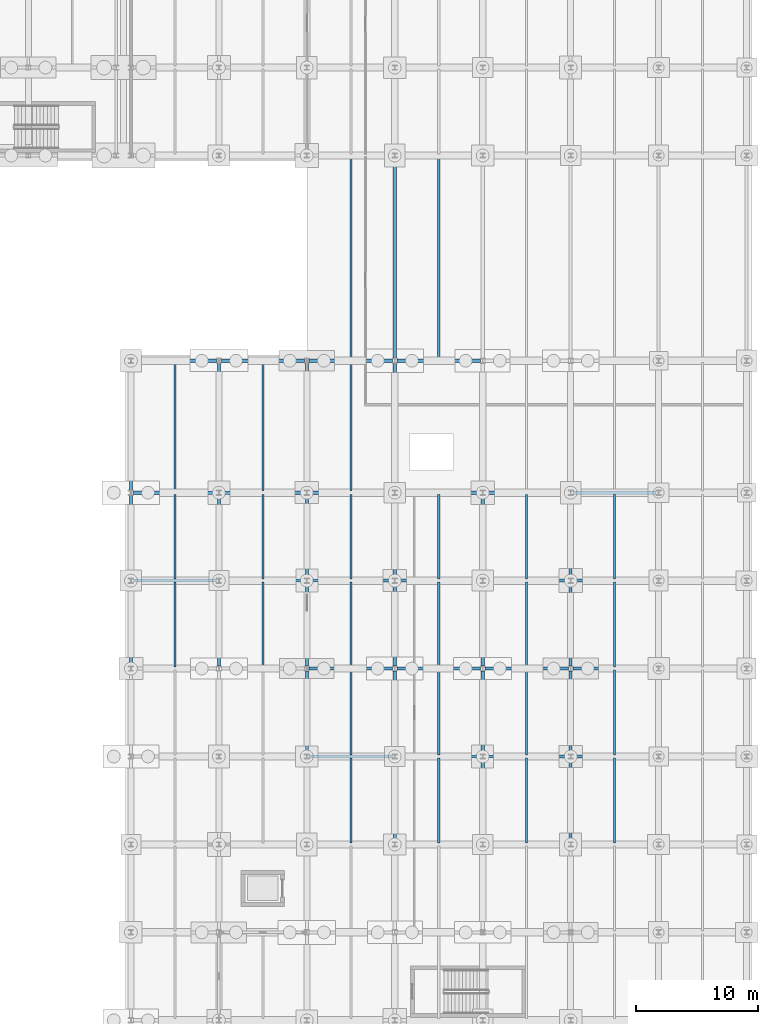
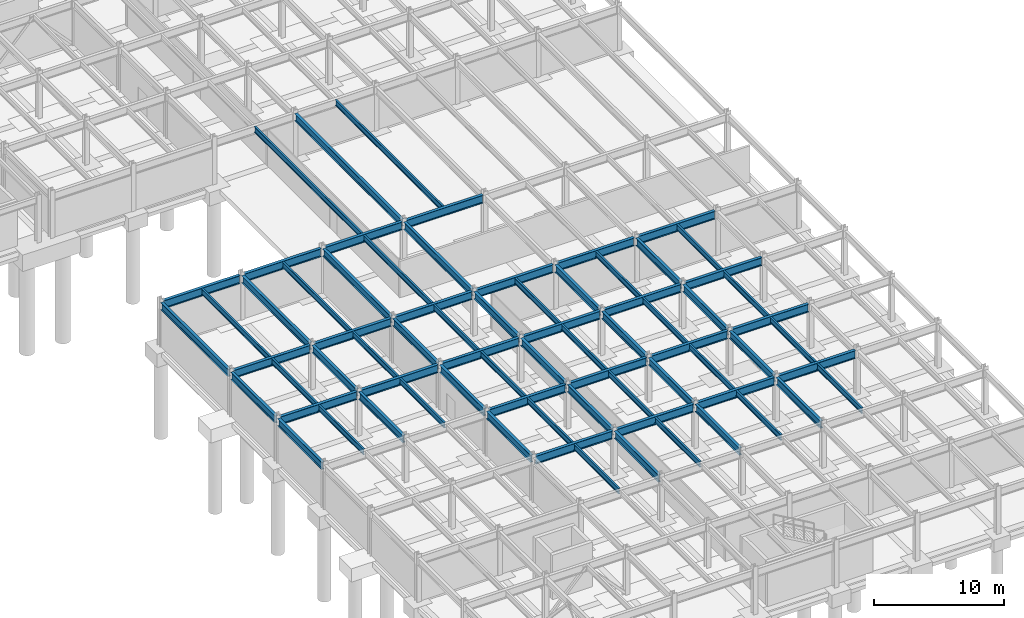
# One storey, part 33 of 54: 73 beams.
"""IFC4 building model written with IfcOpenShell, lengths in metres."""

from ifc_helpers import new_model, si_unit, direction, frame, origin, origin_2d, place, context, subcontext, project, spatial, i_section, extrude, material, material_profile, profile_set, type_object, element, save


model = new_model("IFC4")

# Units and contexts
model_context = context("Model", 3, precision=1e-05, world=origin(), true_north=direction((0.0, 1.0)))
body_context = subcontext(model_context, "Body", "Model", "MODEL_VIEW")
ifc_project = project(units=[si_unit("LENGTHUNIT", "METRE"), si_unit("AREAUNIT", "SQUARE_METRE"), si_unit("VOLUMEUNIT", "CUBIC_METRE"), si_unit("PLANEANGLEUNIT", "RADIAN"), si_unit("MASSUNIT", "GRAM", prefix="KILO")], contexts=[model_context])

# Site, building, storey
site_placement = place(None, origin())
site = spatial("IfcSite", under=ifc_project, at=site_placement, CompositionType="ELEMENT")
building_placement = place(site_placement, origin())
building = spatial("IfcBuilding", under=site, at=building_placement, Name="Vaelcorin Mobility Hub", CompositionType="ELEMENT")
storey_placement = place(building_placement, frame((0.0, 0.0, -4.5)))
storey = spatial("IfcBuildingStorey", under=building, at=storey_placement, Name="B1", CompositionType="ELEMENT", Elevation=-4.5)

# Beams
ifc_material = material(Name="Steel ASTM A992 Grade 50", Category="steel")
ifc_material_profile_1 = material_profile(ifc_material, i_section(OverallWidth=0.166015625, OverallDepth=0.528076171875, WebThickness=0.009765625, FlangeThickness=0.013671875, FilletRadius=0.013916015625, at=origin_2d()), Name="W21X50")
ifc_profile_set_1 = profile_set([ifc_material_profile_1], Name="Steel ASTM A992 Grade 50")
beam_type_1 = type_object("IfcBeamType", Name="BM-W21X50", PredefinedType="JOIST", material=ifc_profile_set_1)
for number, where, z_axis, x_axis, name in (
    (1, (157.199951171875, 34.931884765625, 3.916015625), (0.0, 1.0, 0.0), (-1.0, 0.0, 0.0), "B1 Beam V5-B1-J-01-05-1"),
    (2, (157.199951171875, 42.132080078125, 3.916015625), (0.0, 1.0, 0.0), (-1.0, 0.0, 0.0), "B1 Beam V5-B1-J-01-06-1"),
):
    element("IfcBeam", number, at=place(storey_placement, frame(where, z_axis=z_axis, x_axis=x_axis)), inside=storey, type_object=beam_type_1, Name=name, PredefinedType="JOIST", context=body_context, shape_type="SweptSolid", body=[
        extrude(i_section(OverallWidth=0.166015625, OverallDepth=0.528076171875, WebThickness=0.009765625, FlangeThickness=0.013671875, FilletRadius=0.013916015625, at=origin_2d()), origin(), (0.0, 0.0, 1.0), 6.93603515625),
    ])
beam_1_placement = place(storey_placement, frame((157.199951171875, 49.33203125, 3.916015625), z_axis=(0.0, 1.0, 0.0), x_axis=(-1.0, 0.0, 0.0)))
element("IfcBeam", 3, at=beam_1_placement, inside=storey, type_object=beam_type_1, Name="B1 Beam V5-B1-J-01-07-1", PredefinedType="JOIST", context=body_context, shape_type="SweptSolid", body=[
    extrude(i_section(OverallWidth=0.166015625, OverallDepth=0.528076171875, WebThickness=0.009765625, FlangeThickness=0.013671875, FilletRadius=0.013916015625, at=origin_2d()), origin(), (0.0, 0.0, 1.0), 10.535888671875),
])
for number, where, z_axis, x_axis, name in (
    (4, (164.39990234375, 34.931884765625, 3.916015625), (0.0, 1.0, 0.0), (-1.0, 0.0, 0.0), "B1 Beam V5-B1-J-02-05-1"),
    (5, (164.39990234375, 42.132080078125, 3.916015625), (0.0, 1.0, 0.0), (-1.0, 0.0, 0.0), "B1 Beam V5-B1-J-02-06-1"),
):
    element("IfcBeam", number, at=place(storey_placement, frame(where, z_axis=z_axis, x_axis=x_axis)), inside=storey, type_object=beam_type_1, Name=name, PredefinedType="JOIST", context=body_context, shape_type="SweptSolid", body=[
        extrude(i_section(OverallWidth=0.166015625, OverallDepth=0.528076171875, WebThickness=0.009765625, FlangeThickness=0.013671875, FilletRadius=0.013916015625, at=origin_2d()), origin(), (0.0, 0.0, 1.0), 6.93603515625),
    ])
beam_2_placement = place(storey_placement, frame((164.39990234375, 49.33203125, 3.916015625), z_axis=(0.0, 1.0, 0.0), x_axis=(-1.0, 0.0, 0.0)))
element("IfcBeam", 6, at=beam_2_placement, inside=storey, type_object=beam_type_1, Name="B1 Beam V5-B1-J-02-07-1", PredefinedType="JOIST", context=body_context, shape_type="SweptSolid", body=[
    extrude(i_section(OverallWidth=0.166015625, OverallDepth=0.528076171875, WebThickness=0.009765625, FlangeThickness=0.013671875, FilletRadius=0.013916015625, at=origin_2d()), origin(), (0.0, 0.0, 1.0), 10.535888671875),
])
beam_3_placement = place(storey_placement, frame((171.60009765625, 20.531005859375, 3.916015625), z_axis=(0.0, 1.0, 0.0), x_axis=(-1.0, 0.0, 0.0)))
element("IfcBeam", 7, at=beam_3_placement, inside=storey, type_object=beam_type_1, Name="B1 Beam V5-B1-J-03-03-1", PredefinedType="JOIST", context=body_context, shape_type="SweptSolid", body=[
    extrude(i_section(OverallWidth=0.166015625, OverallDepth=0.528076171875, WebThickness=0.009765625, FlangeThickness=0.013671875, FilletRadius=0.013916015625, at=origin_2d()), origin(), (0.0, 0.0, 1.0), 6.93798828125),
])
for number, where, z_axis, x_axis, name in (
    (8, (171.60009765625, 27.73193359375, 3.916015625), (0.0, 1.0, 0.0), (-1.0, 0.0, 0.0), "B1 Beam V5-B1-J-03-04-1"),
    (9, (171.60009765625, 34.931884765625, 3.916015625), (0.0, 1.0, 0.0), (-1.0, 0.0, 0.0), "B1 Beam V5-B1-J-03-05-1"),
    (10, (171.60009765625, 42.132080078125, 3.916015625), (0.0, 1.0, 0.0), (-1.0, 0.0, 0.0), "B1 Beam V5-B1-J-03-06-1"),
):
    element("IfcBeam", number, at=place(storey_placement, frame(where, z_axis=z_axis, x_axis=x_axis)), inside=storey, type_object=beam_type_1, Name=name, PredefinedType="JOIST", context=body_context, shape_type="SweptSolid", body=[
        extrude(i_section(OverallWidth=0.166015625, OverallDepth=0.528076171875, WebThickness=0.009765625, FlangeThickness=0.013671875, FilletRadius=0.013916015625, at=origin_2d()), origin(), (0.0, 0.0, 1.0), 6.93603515625),
    ])
beam_4_placement = place(storey_placement, frame((171.60009765625, 49.33203125, 3.916015625), z_axis=(0.0, 1.0, 0.0), x_axis=(-1.0, 0.0, 0.0)))
element("IfcBeam", 11, at=beam_4_placement, inside=storey, type_object=beam_type_1, Name="B1 Beam V5-B1-J-03-07-1", PredefinedType="JOIST", context=body_context, shape_type="SweptSolid", body=[
    extrude(i_section(OverallWidth=0.166015625, OverallDepth=0.528076171875, WebThickness=0.009765625, FlangeThickness=0.013671875, FilletRadius=0.013916015625, at=origin_2d()), origin(), (0.0, 0.0, 1.0), 10.535888671875),
])
beam_5_placement = place(storey_placement, frame((171.60009765625, 60.132080078125, 3.916015625), z_axis=(0.0, 1.0, 0.0), x_axis=(-1.0, 0.0, 0.0)))
element("IfcBeam", 12, at=beam_5_placement, inside=storey, type_object=beam_type_1, Name="B1 Beam V5-B1-J-03-08-1", PredefinedType="JOIST", context=body_context, shape_type="SweptSolid", body=[
    extrude(i_section(OverallWidth=0.166015625, OverallDepth=0.528076171875, WebThickness=0.009765625, FlangeThickness=0.013671875, FilletRadius=0.013916015625, at=origin_2d()), origin(), (0.0, 0.0, 1.0), 16.535888671875),
])
beam_6_placement = place(storey_placement, frame((178.800048828125, 20.531005859375, 3.916015625), z_axis=(0.0, 1.0, 0.0), x_axis=(-1.0, 0.0, 0.0)))
element("IfcBeam", 13, at=beam_6_placement, inside=storey, type_object=beam_type_1, Name="B1 Beam V5-B1-J-04-03-1", PredefinedType="JOIST", context=body_context, shape_type="SweptSolid", body=[
    extrude(i_section(OverallWidth=0.166015625, OverallDepth=0.528076171875, WebThickness=0.009765625, FlangeThickness=0.013671875, FilletRadius=0.013916015625, at=origin_2d()), origin(), (0.0, 0.0, 1.0), 6.93798828125),
])
for number, where, z_axis, x_axis, name in (
    (14, (178.800048828125, 27.73193359375, 3.916015625), (0.0, 1.0, 0.0), (-1.0, 0.0, 0.0), "B1 Beam V5-B1-J-04-04-1"),
    (15, (178.800048828125, 34.931884765625, 3.916015625), (0.0, 1.0, 0.0), (-1.0, 0.0, 0.0), "B1 Beam V5-B1-J-04-05-1"),
    (16, (178.800048828125, 42.132080078125, 3.916015625), (0.0, 1.0, 0.0), (-1.0, 0.0, 0.0), "B1 Beam V5-B1-J-04-06-1"),
):
    element("IfcBeam", number, at=place(storey_placement, frame(where, z_axis=z_axis, x_axis=x_axis)), inside=storey, type_object=beam_type_1, Name=name, PredefinedType="JOIST", context=body_context, shape_type="SweptSolid", body=[
        extrude(i_section(OverallWidth=0.166015625, OverallDepth=0.528076171875, WebThickness=0.009765625, FlangeThickness=0.013671875, FilletRadius=0.013916015625, at=origin_2d()), origin(), (0.0, 0.0, 1.0), 6.93603515625),
    ])
beam_7_placement = place(storey_placement, frame((178.800048828125, 60.132080078125, 3.916015625), z_axis=(0.0, 1.0, 0.0), x_axis=(-1.0, 0.0, 0.0)))
element("IfcBeam", 17, at=beam_7_placement, inside=storey, type_object=beam_type_1, Name="B1 Beam V5-B1-J-04-08-1", PredefinedType="JOIST", context=body_context, shape_type="SweptSolid", body=[
    extrude(i_section(OverallWidth=0.166015625, OverallDepth=0.528076171875, WebThickness=0.009765625, FlangeThickness=0.013671875, FilletRadius=0.013916015625, at=origin_2d()), origin(), (0.0, 0.0, 1.0), 16.535888671875),
])
beam_8_placement = place(storey_placement, frame((186.0, 20.531005859375, 3.916015625), z_axis=(0.0, 1.0, 0.0), x_axis=(-1.0, 0.0, 0.0)))
element("IfcBeam", 18, at=beam_8_placement, inside=storey, type_object=beam_type_1, Name="B1 Beam V5-B1-J-05-03-1", PredefinedType="JOIST", context=body_context, shape_type="SweptSolid", body=[
    extrude(i_section(OverallWidth=0.166015625, OverallDepth=0.528076171875, WebThickness=0.009765625, FlangeThickness=0.013671875, FilletRadius=0.013916015625, at=origin_2d()), origin(), (0.0, 0.0, 1.0), 6.93798828125),
])
for number, where, z_axis, x_axis, name in (
    (19, (186.0, 27.73193359375, 3.916015625), (0.0, 1.0, 0.0), (-1.0, 0.0, 0.0), "B1 Beam V5-B1-J-05-04-1"),
    (20, (186.0, 34.931884765625, 3.916015625), (0.0, 1.0, 0.0), (-1.0, 0.0, 0.0), "B1 Beam V5-B1-J-05-05-1"),
    (21, (186.0, 42.132080078125, 3.916015625), (0.0, 1.0, 0.0), (-1.0, 0.0, 0.0), "B1 Beam V5-B1-J-05-06-1"),
):
    element("IfcBeam", number, at=place(storey_placement, frame(where, z_axis=z_axis, x_axis=x_axis)), inside=storey, type_object=beam_type_1, Name=name, PredefinedType="JOIST", context=body_context, shape_type="SweptSolid", body=[
        extrude(i_section(OverallWidth=0.166015625, OverallDepth=0.528076171875, WebThickness=0.009765625, FlangeThickness=0.013671875, FilletRadius=0.013916015625, at=origin_2d()), origin(), (0.0, 0.0, 1.0), 6.93603515625),
    ])
beam_9_placement = place(storey_placement, frame((193.199951171875, 20.531005859375, 3.916015625), z_axis=(0.0, 1.0, 0.0), x_axis=(-1.0, 0.0, 0.0)))
element("IfcBeam", 22, at=beam_9_placement, inside=storey, type_object=beam_type_1, Name="B1 Beam V5-B1-J-06-03-1", PredefinedType="JOIST", context=body_context, shape_type="SweptSolid", body=[
    extrude(i_section(OverallWidth=0.166015625, OverallDepth=0.528076171875, WebThickness=0.009765625, FlangeThickness=0.013671875, FilletRadius=0.013916015625, at=origin_2d()), origin(), (0.0, 0.0, 1.0), 6.93798828125),
])
for number, where, z_axis, x_axis, name in (
    (23, (193.199951171875, 27.73193359375, 3.916015625), (0.0, 1.0, 0.0), (-1.0, 0.0, 0.0), "B1 Beam V5-B1-J-06-04-1"),
    (24, (193.199951171875, 34.931884765625, 3.916015625), (0.0, 1.0, 0.0), (-1.0, 0.0, 0.0), "B1 Beam V5-B1-J-06-05-1"),
    (25, (193.199951171875, 42.132080078125, 3.916015625), (0.0, 1.0, 0.0), (-1.0, 0.0, 0.0), "B1 Beam V5-B1-J-06-06-1"),
):
    element("IfcBeam", number, at=place(storey_placement, frame(where, z_axis=z_axis, x_axis=x_axis)), inside=storey, type_object=beam_type_1, Name=name, PredefinedType="JOIST", context=body_context, shape_type="SweptSolid", body=[
        extrude(i_section(OverallWidth=0.166015625, OverallDepth=0.528076171875, WebThickness=0.009765625, FlangeThickness=0.013671875, FilletRadius=0.013916015625, at=origin_2d()), origin(), (0.0, 0.0, 1.0), 6.93603515625),
    ])
ifc_material_profile_2 = material_profile(ifc_material, i_section(OverallWidth=0.25390625, OverallDepth=0.68310546875, WebThickness=0.012451171875, FlangeThickness=0.018798828125, FilletRadius=0.01611328125, at=origin_2d()), Name="W27X94")
ifc_profile_set_2 = profile_set([ifc_material_profile_2], Name="Steel ASTM A992 Grade 50")
beam_type_2 = type_object("IfcBeamType", Name="BM-W27X94", PredefinedType="BEAM", material=ifc_profile_set_2)
for number, where, z_axis, x_axis, name in (
    (26, (153.60009765625, 34.9951171875, 3.837890625), (0.0, 1.0, 0.0), (-1.0, 0.0, 0.0), "B1 Beam V5-B1-GY-01-05"),
    (27, (153.60009765625, 42.195068359375, 3.837890625), (0.0, 1.0, 0.0), (-1.0, 0.0, 0.0), "B1 Beam V5-B1-GY-01-06"),
):
    element("IfcBeam", number, at=place(storey_placement, frame(where, z_axis=z_axis, x_axis=x_axis)), inside=storey, type_object=beam_type_2, Name=name, PredefinedType="BEAM", context=body_context, shape_type="SweptSolid", body=[
        extrude(i_section(OverallWidth=0.25390625, OverallDepth=0.68310546875, WebThickness=0.012451171875, FlangeThickness=0.018798828125, FilletRadius=0.01611328125, at=origin_2d()), origin(), (0.0, 0.0, 1.0), 6.809814453125),
    ])
beam_10_placement = place(storey_placement, frame((153.60009765625, 49.39501953125, 3.837890625), z_axis=(0.0, 1.0, 0.0), x_axis=(-1.0, 0.0, 0.0)))
element("IfcBeam", 28, at=beam_10_placement, inside=storey, type_object=beam_type_2, Name="B1 Beam V5-B1-GY-01-07", PredefinedType="BEAM", context=body_context, shape_type="SweptSolid", body=[
    extrude(i_section(OverallWidth=0.25390625, OverallDepth=0.68310546875, WebThickness=0.012451171875, FlangeThickness=0.018798828125, FilletRadius=0.01611328125, at=origin_2d()), origin(), (0.0, 0.0, 1.0), 10.409912109375),
])
for number, where, z_axis, x_axis, name in (
    (29, (160.800048828125, 34.9951171875, 3.837890625), (0.0, 1.0, 0.0), (-1.0, 0.0, 0.0), "B1 Beam V5-B1-GY-02-05"),
    (30, (160.800048828125, 42.195068359375, 3.837890625), (0.0, 1.0, 0.0), (-1.0, 0.0, 0.0), "B1 Beam V5-B1-GY-02-06"),
):
    element("IfcBeam", number, at=place(storey_placement, frame(where, z_axis=z_axis, x_axis=x_axis)), inside=storey, type_object=beam_type_2, Name=name, PredefinedType="BEAM", context=body_context, shape_type="SweptSolid", body=[
        extrude(i_section(OverallWidth=0.25390625, OverallDepth=0.68310546875, WebThickness=0.012451171875, FlangeThickness=0.018798828125, FilletRadius=0.01611328125, at=origin_2d()), origin(), (0.0, 0.0, 1.0), 6.809814453125),
    ])
beam_11_placement = place(storey_placement, frame((160.800048828125, 49.39501953125, 3.837890625), z_axis=(0.0, 1.0, 0.0), x_axis=(-1.0, 0.0, 0.0)))
element("IfcBeam", 31, at=beam_11_placement, inside=storey, type_object=beam_type_2, Name="B1 Beam V5-B1-GY-02-07", PredefinedType="BEAM", context=body_context, shape_type="SweptSolid", body=[
    extrude(i_section(OverallWidth=0.25390625, OverallDepth=0.68310546875, WebThickness=0.012451171875, FlangeThickness=0.018798828125, FilletRadius=0.01611328125, at=origin_2d()), origin(), (0.0, 0.0, 1.0), 10.409912109375),
])
beam_12_placement = place(storey_placement, frame((168.0, 27.794921875, 3.837890625), z_axis=(0.0, 1.0, 0.0), x_axis=(-1.0, 0.0, 0.0)))
element("IfcBeam", 32, at=beam_12_placement, inside=storey, type_object=beam_type_2, Name="B1 Beam V5-B1-GY-03-04", PredefinedType="BEAM", context=body_context, shape_type="SweptSolid", body=[
    extrude(i_section(OverallWidth=0.25390625, OverallDepth=0.68310546875, WebThickness=0.012451171875, FlangeThickness=0.018798828125, FilletRadius=0.01611328125, at=origin_2d()), origin(), (0.0, 0.0, 1.0), 6.81005859375),
])
for number, where, z_axis, x_axis, name in (
    (33, (168.0, 34.9951171875, 3.837890625), (0.0, 1.0, 0.0), (-1.0, 0.0, 0.0), "B1 Beam V5-B1-GY-03-05"),
    (34, (168.0, 42.195068359375, 3.837890625), (0.0, 1.0, 0.0), (-1.0, 0.0, 0.0), "B1 Beam V5-B1-GY-03-06"),
):
    element("IfcBeam", number, at=place(storey_placement, frame(where, z_axis=z_axis, x_axis=x_axis)), inside=storey, type_object=beam_type_2, Name=name, PredefinedType="BEAM", context=body_context, shape_type="SweptSolid", body=[
        extrude(i_section(OverallWidth=0.25390625, OverallDepth=0.68310546875, WebThickness=0.012451171875, FlangeThickness=0.018798828125, FilletRadius=0.01611328125, at=origin_2d()), origin(), (0.0, 0.0, 1.0), 6.809814453125),
    ])
beam_13_placement = place(storey_placement, frame((168.0, 49.39501953125, 3.837890625), z_axis=(0.0, 1.0, 0.0), x_axis=(-1.0, 0.0, 0.0)))
element("IfcBeam", 35, at=beam_13_placement, inside=storey, type_object=beam_type_2, Name="B1 Beam V5-B1-GY-03-07", PredefinedType="BEAM", context=body_context, shape_type="SweptSolid", body=[
    extrude(i_section(OverallWidth=0.25390625, OverallDepth=0.68310546875, WebThickness=0.012451171875, FlangeThickness=0.018798828125, FilletRadius=0.01611328125, at=origin_2d()), origin(), (0.0, 0.0, 1.0), 10.409912109375),
])
for number, where, z_axis, x_axis, name in (
    (36, (175.199951171875, 20.594970703125, 3.837890625), (0.0, 1.0, 0.0), (-1.0, 0.0, 0.0), "B1 Beam V5-B1-GY-04-03"),
    (37, (175.199951171875, 27.794921875, 3.837890625), (0.0, 1.0, 0.0), (-1.0, 0.0, 0.0), "B1 Beam V5-B1-GY-04-04"),
):
    element("IfcBeam", number, at=place(storey_placement, frame(where, z_axis=z_axis, x_axis=x_axis)), inside=storey, type_object=beam_type_2, Name=name, PredefinedType="BEAM", context=body_context, shape_type="SweptSolid", body=[
        extrude(i_section(OverallWidth=0.25390625, OverallDepth=0.68310546875, WebThickness=0.012451171875, FlangeThickness=0.018798828125, FilletRadius=0.01611328125, at=origin_2d()), origin(), (0.0, 0.0, 1.0), 6.81005859375),
    ])
for number, where, z_axis, x_axis, name in (
    (38, (175.199951171875, 34.9951171875, 3.837890625), (0.0, 1.0, 0.0), (-1.0, 0.0, 0.0), "B1 Beam V5-B1-GY-04-05"),
    (39, (175.199951171875, 42.195068359375, 3.837890625), (0.0, 1.0, 0.0), (-1.0, 0.0, 0.0), "B1 Beam V5-B1-GY-04-06"),
):
    element("IfcBeam", number, at=place(storey_placement, frame(where, z_axis=z_axis, x_axis=x_axis)), inside=storey, type_object=beam_type_2, Name=name, PredefinedType="BEAM", context=body_context, shape_type="SweptSolid", body=[
        extrude(i_section(OverallWidth=0.25390625, OverallDepth=0.68310546875, WebThickness=0.012451171875, FlangeThickness=0.018798828125, FilletRadius=0.01611328125, at=origin_2d()), origin(), (0.0, 0.0, 1.0), 6.809814453125),
    ])
beam_14_placement = place(storey_placement, frame((175.199951171875, 49.39501953125, 3.837890625), z_axis=(0.0, 1.0, 0.0), x_axis=(-1.0, 0.0, 0.0)))
element("IfcBeam", 40, at=beam_14_placement, inside=storey, type_object=beam_type_2, Name="B1 Beam V5-B1-GY-04-07", PredefinedType="BEAM", context=body_context, shape_type="SweptSolid", body=[
    extrude(i_section(OverallWidth=0.25390625, OverallDepth=0.68310546875, WebThickness=0.012451171875, FlangeThickness=0.018798828125, FilletRadius=0.01611328125, at=origin_2d()), origin(), (0.0, 0.0, 1.0), 10.409912109375),
])
beam_15_placement = place(storey_placement, frame((175.199951171875, 60.195068359375, 3.837890625), z_axis=(0.0, 1.0, 0.0), x_axis=(-1.0, 0.0, 0.0)))
element("IfcBeam", 41, at=beam_15_placement, inside=storey, type_object=beam_type_2, Name="B1 Beam V5-B1-GY-04-08", PredefinedType="BEAM", context=body_context, shape_type="SweptSolid", body=[
    extrude(i_section(OverallWidth=0.25390625, OverallDepth=0.68310546875, WebThickness=0.012451171875, FlangeThickness=0.018798828125, FilletRadius=0.01611328125, at=origin_2d()), origin(), (0.0, 0.0, 1.0), 16.409912109375),
])
for number, where, z_axis, x_axis, name in (
    (42, (182.39990234375, 20.594970703125, 3.837890625), (0.0, 1.0, 0.0), (-1.0, 0.0, 0.0), "B1 Beam V5-B1-GY-05-03"),
    (43, (182.39990234375, 27.794921875, 3.837890625), (0.0, 1.0, 0.0), (-1.0, 0.0, 0.0), "B1 Beam V5-B1-GY-05-04"),
):
    element("IfcBeam", number, at=place(storey_placement, frame(where, z_axis=z_axis, x_axis=x_axis)), inside=storey, type_object=beam_type_2, Name=name, PredefinedType="BEAM", context=body_context, shape_type="SweptSolid", body=[
        extrude(i_section(OverallWidth=0.25390625, OverallDepth=0.68310546875, WebThickness=0.012451171875, FlangeThickness=0.018798828125, FilletRadius=0.01611328125, at=origin_2d()), origin(), (0.0, 0.0, 1.0), 6.81005859375),
    ])
for number, where, z_axis, x_axis, name in (
    (44, (182.39990234375, 34.9951171875, 3.837890625), (0.0, 1.0, 0.0), (-1.0, 0.0, 0.0), "B1 Beam V5-B1-GY-05-05"),
    (45, (182.39990234375, 42.195068359375, 3.837890625), (0.0, 1.0, 0.0), (-1.0, 0.0, 0.0), "B1 Beam V5-B1-GY-05-06"),
):
    element("IfcBeam", number, at=place(storey_placement, frame(where, z_axis=z_axis, x_axis=x_axis)), inside=storey, type_object=beam_type_2, Name=name, PredefinedType="BEAM", context=body_context, shape_type="SweptSolid", body=[
        extrude(i_section(OverallWidth=0.25390625, OverallDepth=0.68310546875, WebThickness=0.012451171875, FlangeThickness=0.018798828125, FilletRadius=0.01611328125, at=origin_2d()), origin(), (0.0, 0.0, 1.0), 6.809814453125),
    ])
for number, where, z_axis, x_axis, name in (
    (46, (189.60009765625, 20.594970703125, 3.837890625), (0.0, 1.0, 0.0), (-1.0, 0.0, 0.0), "B1 Beam V5-B1-GY-06-03"),
    (47, (189.60009765625, 27.794921875, 3.837890625), (0.0, 1.0, 0.0), (-1.0, 0.0, 0.0), "B1 Beam V5-B1-GY-06-04"),
):
    element("IfcBeam", number, at=place(storey_placement, frame(where, z_axis=z_axis, x_axis=x_axis)), inside=storey, type_object=beam_type_2, Name=name, PredefinedType="BEAM", context=body_context, shape_type="SweptSolid", body=[
        extrude(i_section(OverallWidth=0.25390625, OverallDepth=0.68310546875, WebThickness=0.012451171875, FlangeThickness=0.018798828125, FilletRadius=0.01611328125, at=origin_2d()), origin(), (0.0, 0.0, 1.0), 6.81005859375),
    ])
for number, where, z_axis, x_axis, name in (
    (48, (189.60009765625, 34.9951171875, 3.837890625), (0.0, 1.0, 0.0), (-1.0, 0.0, 0.0), "B1 Beam V5-B1-GY-06-05"),
    (49, (189.60009765625, 42.195068359375, 3.837890625), (0.0, 1.0, 0.0), (-1.0, 0.0, 0.0), "B1 Beam V5-B1-GY-06-06"),
):
    element("IfcBeam", number, at=place(storey_placement, frame(where, z_axis=z_axis, x_axis=x_axis)), inside=storey, type_object=beam_type_2, Name=name, PredefinedType="BEAM", context=body_context, shape_type="SweptSolid", body=[
        extrude(i_section(OverallWidth=0.25390625, OverallDepth=0.68310546875, WebThickness=0.012451171875, FlangeThickness=0.018798828125, FilletRadius=0.01611328125, at=origin_2d()), origin(), (0.0, 0.0, 1.0), 6.809814453125),
    ])
ifc_material_profile_3 = material_profile(ifc_material, i_section(OverallWidth=0.26708984375, OverallDepth=0.757080078125, WebThickness=0.013916015625, FlangeThickness=0.019287109375, FilletRadius=0.01708984375, at=origin_2d()), Name="W30X108")
ifc_profile_set_3 = profile_set([ifc_material_profile_3], Name="Steel ASTM A992 Grade 50")
beam_type_3 = type_object("IfcBeamType", Name="BM-W30X108", PredefinedType="BEAM", material=ifc_profile_set_3)
beam_16_placement = place(storey_placement, frame((168.197998046875, 27.60009765625, 3.802001953125), z_axis=(1.0, 0.0, 0.0), x_axis=(0.0, 1.0, 0.0)))
element("IfcBeam", 50, at=beam_16_placement, inside=storey, type_object=beam_type_3, Name="B1 Beam V5-B1-GX-04-03", PredefinedType="BEAM", context=body_context, shape_type="SweptSolid", body=[
    extrude(i_section(OverallWidth=0.26708984375, OverallDepth=0.757080078125, WebThickness=0.013916015625, FlangeThickness=0.019287109375, FilletRadius=0.01708984375, at=origin_2d()), origin(), (0.0, 0.0, 1.0), 6.803955078125),
])
beam_17_placement = place(storey_placement, frame((175.39697265625, 27.60009765625, 3.802001953125), z_axis=(1.0, 0.0, 0.0), x_axis=(0.0, 1.0, 0.0)))
element("IfcBeam", 51, at=beam_17_placement, inside=storey, type_object=beam_type_3, Name="B1 Beam V5-B1-GX-04-04", PredefinedType="BEAM", context=body_context, shape_type="SweptSolid", body=[
    extrude(i_section(OverallWidth=0.26708984375, OverallDepth=0.757080078125, WebThickness=0.013916015625, FlangeThickness=0.019287109375, FilletRadius=0.01708984375, at=origin_2d()), origin(), (0.0, 0.0, 1.0), 6.805908203125),
])
beam_18_placement = place(storey_placement, frame((182.597900390625, 27.60009765625, 3.802001953125), z_axis=(1.0, 0.0, 0.0), x_axis=(0.0, 1.0, 0.0)))
element("IfcBeam", 52, at=beam_18_placement, inside=storey, type_object=beam_type_3, Name="B1 Beam V5-B1-GX-04-05", PredefinedType="BEAM", context=body_context, shape_type="SweptSolid", body=[
    extrude(i_section(OverallWidth=0.26708984375, OverallDepth=0.757080078125, WebThickness=0.013916015625, FlangeThickness=0.019287109375, FilletRadius=0.01708984375, at=origin_2d()), origin(), (0.0, 0.0, 1.0), 6.80419921875),
])
beam_19_placement = place(storey_placement, frame((189.797119140625, 27.60009765625, 3.802001953125), z_axis=(1.0, 0.0, 0.0), x_axis=(0.0, 1.0, 0.0)))
element("IfcBeam", 53, at=beam_19_placement, inside=storey, type_object=beam_type_3, Name="B1 Beam V5-B1-GX-04-06", PredefinedType="BEAM", context=body_context, shape_type="SweptSolid", body=[
    extrude(i_section(OverallWidth=0.26708984375, OverallDepth=0.757080078125, WebThickness=0.013916015625, FlangeThickness=0.019287109375, FilletRadius=0.01708984375, at=origin_2d()), origin(), (0.0, 0.0, 1.0), 6.805908203125),
])
beam_20_placement = place(storey_placement, frame((168.197998046875, 34.800048828125, 3.802001953125), z_axis=(1.0, 0.0, 0.0), x_axis=(0.0, 1.0, 0.0)))
element("IfcBeam", 54, at=beam_20_placement, inside=storey, type_object=beam_type_3, Name="B1 Beam V5-B1-GX-05-03", PredefinedType="BEAM", context=body_context, shape_type="SweptSolid", body=[
    extrude(i_section(OverallWidth=0.26708984375, OverallDepth=0.757080078125, WebThickness=0.013916015625, FlangeThickness=0.019287109375, FilletRadius=0.01708984375, at=origin_2d()), origin(), (0.0, 0.0, 1.0), 6.803955078125),
])
beam_21_placement = place(storey_placement, frame((175.39697265625, 34.800048828125, 3.802001953125), z_axis=(1.0, 0.0, 0.0), x_axis=(0.0, 1.0, 0.0)))
element("IfcBeam", 55, at=beam_21_placement, inside=storey, type_object=beam_type_3, Name="B1 Beam V5-B1-GX-05-04", PredefinedType="BEAM", context=body_context, shape_type="SweptSolid", body=[
    extrude(i_section(OverallWidth=0.26708984375, OverallDepth=0.757080078125, WebThickness=0.013916015625, FlangeThickness=0.019287109375, FilletRadius=0.01708984375, at=origin_2d()), origin(), (0.0, 0.0, 1.0), 6.805908203125),
])
beam_22_placement = place(storey_placement, frame((182.597900390625, 34.800048828125, 3.802001953125), z_axis=(1.0, 0.0, 0.0), x_axis=(0.0, 1.0, 0.0)))
element("IfcBeam", 56, at=beam_22_placement, inside=storey, type_object=beam_type_3, Name="B1 Beam V5-B1-GX-05-05", PredefinedType="BEAM", context=body_context, shape_type="SweptSolid", body=[
    extrude(i_section(OverallWidth=0.26708984375, OverallDepth=0.757080078125, WebThickness=0.013916015625, FlangeThickness=0.019287109375, FilletRadius=0.01708984375, at=origin_2d()), origin(), (0.0, 0.0, 1.0), 6.80419921875),
])
beam_23_placement = place(storey_placement, frame((189.797119140625, 34.800048828125, 3.802001953125), z_axis=(1.0, 0.0, 0.0), x_axis=(0.0, 1.0, 0.0)))
element("IfcBeam", 57, at=beam_23_placement, inside=storey, type_object=beam_type_3, Name="B1 Beam V5-B1-GX-05-06", PredefinedType="BEAM", context=body_context, shape_type="SweptSolid", body=[
    extrude(i_section(OverallWidth=0.26708984375, OverallDepth=0.757080078125, WebThickness=0.013916015625, FlangeThickness=0.019287109375, FilletRadius=0.01708984375, at=origin_2d()), origin(), (0.0, 0.0, 1.0), 6.805908203125),
])
for number, where, z_axis, x_axis, name in (
    (58, (153.797119140625, 42.0, 3.802001953125), (1.0, 0.0, 0.0), (0.0, 1.0, 0.0), "B1 Beam V5-B1-GX-06-01"),
    (59, (160.9970703125, 42.0, 3.802001953125), (1.0, 0.0, 0.0), (0.0, 1.0, 0.0), "B1 Beam V5-B1-GX-06-02"),
):
    element("IfcBeam", number, at=place(storey_placement, frame(where, z_axis=z_axis, x_axis=x_axis)), inside=storey, type_object=beam_type_3, Name=name, PredefinedType="BEAM", context=body_context, shape_type="SweptSolid", body=[
        extrude(i_section(OverallWidth=0.26708984375, OverallDepth=0.757080078125, WebThickness=0.013916015625, FlangeThickness=0.019287109375, FilletRadius=0.01708984375, at=origin_2d()), origin(), (0.0, 0.0, 1.0), 6.804931640625),
    ])
beam_24_placement = place(storey_placement, frame((168.197998046875, 42.0, 3.802001953125), z_axis=(1.0, 0.0, 0.0), x_axis=(0.0, 1.0, 0.0)))
element("IfcBeam", 60, at=beam_24_placement, inside=storey, type_object=beam_type_3, Name="B1 Beam V5-B1-GX-06-03", PredefinedType="BEAM", context=body_context, shape_type="SweptSolid", body=[
    extrude(i_section(OverallWidth=0.26708984375, OverallDepth=0.757080078125, WebThickness=0.013916015625, FlangeThickness=0.019287109375, FilletRadius=0.01708984375, at=origin_2d()), origin(), (0.0, 0.0, 1.0), 6.803955078125),
])
beam_25_placement = place(storey_placement, frame((175.39697265625, 42.0, 3.802001953125), z_axis=(1.0, 0.0, 0.0), x_axis=(0.0, 1.0, 0.0)))
element("IfcBeam", 61, at=beam_25_placement, inside=storey, type_object=beam_type_3, Name="B1 Beam V5-B1-GX-06-04", PredefinedType="BEAM", context=body_context, shape_type="SweptSolid", body=[
    extrude(i_section(OverallWidth=0.26708984375, OverallDepth=0.757080078125, WebThickness=0.013916015625, FlangeThickness=0.019287109375, FilletRadius=0.01708984375, at=origin_2d()), origin(), (0.0, 0.0, 1.0), 6.805908203125),
])
beam_26_placement = place(storey_placement, frame((182.597900390625, 42.0, 3.802001953125), z_axis=(1.0, 0.0, 0.0), x_axis=(0.0, 1.0, 0.0)))
element("IfcBeam", 62, at=beam_26_placement, inside=storey, type_object=beam_type_3, Name="B1 Beam V5-B1-GX-06-05", PredefinedType="BEAM", context=body_context, shape_type="SweptSolid", body=[
    extrude(i_section(OverallWidth=0.26708984375, OverallDepth=0.757080078125, WebThickness=0.013916015625, FlangeThickness=0.019287109375, FilletRadius=0.01708984375, at=origin_2d()), origin(), (0.0, 0.0, 1.0), 6.80419921875),
])
beam_27_placement = place(storey_placement, frame((189.797119140625, 42.0, 3.802001953125), z_axis=(1.0, 0.0, 0.0), x_axis=(0.0, 1.0, 0.0)))
element("IfcBeam", 63, at=beam_27_placement, inside=storey, type_object=beam_type_3, Name="B1 Beam V5-B1-GX-06-06", PredefinedType="BEAM", context=body_context, shape_type="SweptSolid", body=[
    extrude(i_section(OverallWidth=0.26708984375, OverallDepth=0.757080078125, WebThickness=0.013916015625, FlangeThickness=0.019287109375, FilletRadius=0.01708984375, at=origin_2d()), origin(), (0.0, 0.0, 1.0), 6.805908203125),
])
for number, where, z_axis, x_axis, name in (
    (64, (153.797119140625, 49.199951171875, 3.802001953125), (1.0, 0.0, 0.0), (0.0, 1.0, 0.0), "B1 Beam V5-B1-GX-07-01"),
    (65, (160.9970703125, 49.199951171875, 3.802001953125), (1.0, 0.0, 0.0), (0.0, 1.0, 0.0), "B1 Beam V5-B1-GX-07-02"),
):
    element("IfcBeam", number, at=place(storey_placement, frame(where, z_axis=z_axis, x_axis=x_axis)), inside=storey, type_object=beam_type_3, Name=name, PredefinedType="BEAM", context=body_context, shape_type="SweptSolid", body=[
        extrude(i_section(OverallWidth=0.26708984375, OverallDepth=0.757080078125, WebThickness=0.013916015625, FlangeThickness=0.019287109375, FilletRadius=0.01708984375, at=origin_2d()), origin(), (0.0, 0.0, 1.0), 6.804931640625),
    ])
beam_28_placement = place(storey_placement, frame((168.197998046875, 49.199951171875, 3.802001953125), z_axis=(1.0, 0.0, 0.0), x_axis=(0.0, 1.0, 0.0)))
element("IfcBeam", 66, at=beam_28_placement, inside=storey, type_object=beam_type_3, Name="B1 Beam V5-B1-GX-07-03", PredefinedType="BEAM", context=body_context, shape_type="SweptSolid", body=[
    extrude(i_section(OverallWidth=0.26708984375, OverallDepth=0.757080078125, WebThickness=0.013916015625, FlangeThickness=0.019287109375, FilletRadius=0.01708984375, at=origin_2d()), origin(), (0.0, 0.0, 1.0), 6.803955078125),
])
beam_29_placement = place(storey_placement, frame((175.39697265625, 49.199951171875, 3.802001953125), z_axis=(1.0, 0.0, 0.0), x_axis=(0.0, 1.0, 0.0)))
element("IfcBeam", 67, at=beam_29_placement, inside=storey, type_object=beam_type_3, Name="B1 Beam V5-B1-GX-07-04", PredefinedType="BEAM", context=body_context, shape_type="SweptSolid", body=[
    extrude(i_section(OverallWidth=0.26708984375, OverallDepth=0.757080078125, WebThickness=0.013916015625, FlangeThickness=0.019287109375, FilletRadius=0.01708984375, at=origin_2d()), origin(), (0.0, 0.0, 1.0), 6.805908203125),
])
beam_30_placement = place(storey_placement, frame((182.597900390625, 49.199951171875, 3.802001953125), z_axis=(1.0, 0.0, 0.0), x_axis=(0.0, 1.0, 0.0)))
element("IfcBeam", 68, at=beam_30_placement, inside=storey, type_object=beam_type_3, Name="B1 Beam V5-B1-GX-07-05", PredefinedType="BEAM", context=body_context, shape_type="SweptSolid", body=[
    extrude(i_section(OverallWidth=0.26708984375, OverallDepth=0.757080078125, WebThickness=0.013916015625, FlangeThickness=0.019287109375, FilletRadius=0.01708984375, at=origin_2d()), origin(), (0.0, 0.0, 1.0), 6.80419921875),
])
beam_31_placement = place(storey_placement, frame((189.797119140625, 49.199951171875, 3.802001953125), z_axis=(1.0, 0.0, 0.0), x_axis=(0.0, 1.0, 0.0)))
element("IfcBeam", 69, at=beam_31_placement, inside=storey, type_object=beam_type_3, Name="B1 Beam V5-B1-GX-07-06", PredefinedType="BEAM", context=body_context, shape_type="SweptSolid", body=[
    extrude(i_section(OverallWidth=0.26708984375, OverallDepth=0.757080078125, WebThickness=0.013916015625, FlangeThickness=0.019287109375, FilletRadius=0.01708984375, at=origin_2d()), origin(), (0.0, 0.0, 1.0), 6.805908203125),
])
for number, where, z_axis, x_axis, name in (
    (70, (153.797119140625, 60.0, 3.802001953125), (1.0, 0.0, 0.0), (0.0, 1.0, 0.0), "B1 Beam V5-B1-GX-08-01"),
    (71, (160.9970703125, 60.0, 3.802001953125), (1.0, 0.0, 0.0), (0.0, 1.0, 0.0), "B1 Beam V5-B1-GX-08-02"),
):
    element("IfcBeam", number, at=place(storey_placement, frame(where, z_axis=z_axis, x_axis=x_axis)), inside=storey, type_object=beam_type_3, Name=name, PredefinedType="BEAM", context=body_context, shape_type="SweptSolid", body=[
        extrude(i_section(OverallWidth=0.26708984375, OverallDepth=0.757080078125, WebThickness=0.013916015625, FlangeThickness=0.019287109375, FilletRadius=0.01708984375, at=origin_2d()), origin(), (0.0, 0.0, 1.0), 6.804931640625),
    ])
beam_32_placement = place(storey_placement, frame((168.197998046875, 60.0, 3.802001953125), z_axis=(1.0, 0.0, 0.0), x_axis=(0.0, 1.0, 0.0)))
element("IfcBeam", 72, at=beam_32_placement, inside=storey, type_object=beam_type_3, Name="B1 Beam V5-B1-GX-08-03", PredefinedType="BEAM", context=body_context, shape_type="SweptSolid", body=[
    extrude(i_section(OverallWidth=0.26708984375, OverallDepth=0.757080078125, WebThickness=0.013916015625, FlangeThickness=0.019287109375, FilletRadius=0.01708984375, at=origin_2d()), origin(), (0.0, 0.0, 1.0), 6.803955078125),
])
beam_33_placement = place(storey_placement, frame((175.39697265625, 60.0, 3.802001953125), z_axis=(1.0, 0.0, 0.0), x_axis=(0.0, 1.0, 0.0)))
element("IfcBeam", 73, at=beam_33_placement, inside=storey, type_object=beam_type_3, Name="B1 Beam V5-B1-GX-08-04", PredefinedType="BEAM", context=body_context, shape_type="SweptSolid", body=[
    extrude(i_section(OverallWidth=0.26708984375, OverallDepth=0.757080078125, WebThickness=0.013916015625, FlangeThickness=0.019287109375, FilletRadius=0.01708984375, at=origin_2d()), origin(), (0.0, 0.0, 1.0), 6.805908203125),
])

save(model, "model.ifc")
